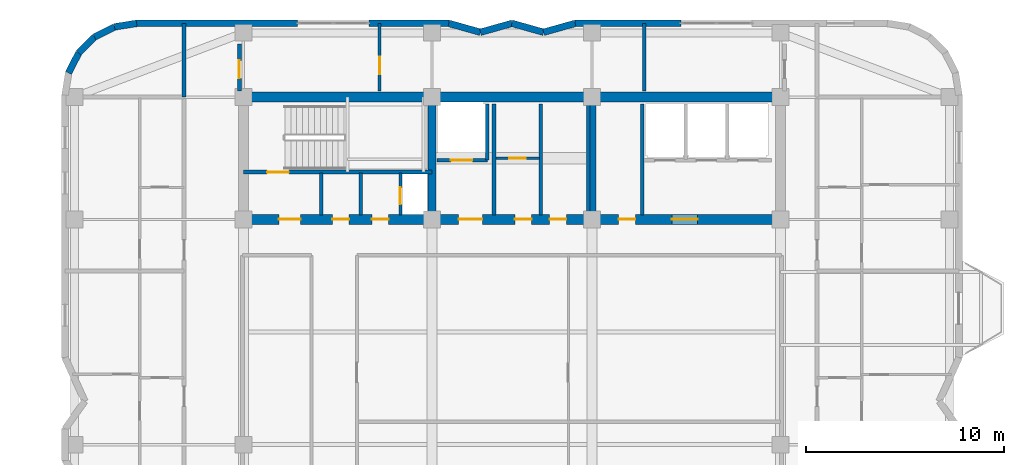
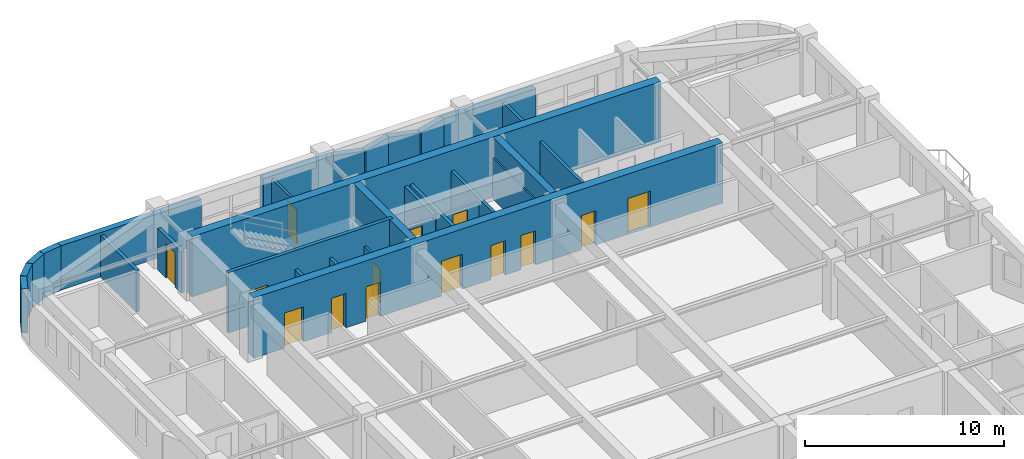
# One storey, part 11 of 14: 30 walls, 14 doors, 14 openings.
"""IFC4 building model written with IfcOpenShell, lengths in metres."""

from ifc_helpers import new_model, si_unit, direction, frame, frame_2d, origin, place, context, subcontext, project, spatial, rectangle, extrude, material, layer, layer_set, type_object, element, fill, save


model = new_model("IFC4")

# Units and contexts
model_context = context("Model", 3, precision=1e-05, world=origin(), true_north=direction((0.0, 1.0)))
body_context = subcontext(model_context, "Body", "Model", "MODEL_VIEW")
ifc_project = project(units=[si_unit("LENGTHUNIT", "METRE"), si_unit("AREAUNIT", "SQUARE_METRE"), si_unit("VOLUMEUNIT", "CUBIC_METRE"), si_unit("PLANEANGLEUNIT", "RADIAN"), si_unit("MASSUNIT", "GRAM", prefix="KILO")], contexts=[model_context])

# Site, building, storey
site_placement = place(None, origin())
site = spatial("IfcSite", under=ifc_project, at=site_placement, CompositionType="ELEMENT")
building_placement = place(site_placement, origin())
building = spatial("IfcBuilding", under=site, at=building_placement, Name="Svetorya Sky Lyceum", CompositionType="ELEMENT")
storey_placement = place(building_placement, frame((0.0, 0.0, 218.39990234375)))
storey = spatial("IfcBuildingStorey", under=building, at=storey_placement, Name="L54", CompositionType="ELEMENT", Elevation=218.39990234375)

# Walls
ifc_material_1 = material(Name="Concrete C40/50", Category="concrete")
ifc_layer_1 = layer(ifc_material_1, 0.39990234375)
ifc_layer_set_1 = layer_set([ifc_layer_1], Name="Concrete C40/50")
wall_type_1 = type_object("IfcWallType", Name="WL-CORE-400", PredefinedType="SHEAR", material=ifc_layer_set_1)
for number, where, z_axis, x_axis, name in (
    (1, (35.14990234375, 39.85009765625, 0.0), (0.0, 0.0, 1.0), (0.0, 1.0, 0.0), "L54 NC Internal Shear Web WEB1"),
    (2, (43.25, 39.85009765625, 0.0), (0.0, 0.0, 1.0), (0.0, 1.0, 0.0), "L54 NC Internal Shear Web WEB2"),
):
    element("IfcWall", number, at=place(storey_placement, frame(where, z_axis=z_axis, x_axis=x_axis)), inside=storey, type_object=wall_type_1, Name=name, PredefinedType="SHEAR", context=body_context, shape_type="SweptSolid", body=[
        extrude(rectangle(XDim=5.699951171875, YDim=0.39990234375, at=frame_2d((2.85009765625, 0.0))), origin(), (0.0, 0.0, 1.0), 3.7001953125),
    ])
ifc_material_2 = material(Name="Concrete C50/60", Category="concrete")
ifc_layer_2 = layer(ifc_material_2, 0.5)
ifc_layer_set_2 = layer_set([ifc_layer_2], Name="Concrete C50/60")
wall_type_2 = type_object("IfcWallType", Name="WL-CORE-500", PredefinedType="SHEAR", material=ifc_layer_set_2)
wall_1_placement = place(storey_placement, frame((25.60009765625, 45.800048828125, 0.0), z_axis=(0.0, 0.0, 1.0), x_axis=(1.0, 0.0, 0.0)))
element("IfcWall", 3, at=wall_1_placement, inside=storey, type_object=wall_type_2, Name="L54 NC Outer Core Shear Wall", PredefinedType="SHEAR", context=body_context, shape_type="SweptSolid", body=[
    extrude(rectangle(XDim=27.199951171875, YDim=0.5, at=frame_2d((13.60009765625, 0.0))), origin(), (0.0, 0.0, 1.0), 3.7001953125),
])

# Wall, openings, doors
wall_2_placement = place(storey_placement, frame((52.800048828125, 39.60009765625, 0.0), z_axis=(0.0, 0.0, 1.0), x_axis=(-1.0, 0.0, 0.0)))
wall_2 = element("IfcWall", 4, at=wall_2_placement, inside=storey, type_object=wall_type_2, Name="L54 NC Inner Core Shear Wall", PredefinedType="SHEAR", context=body_context, shape_type="SweptSolid", body=[
    extrude(rectangle(XDim=27.199951171875, YDim=0.5, at=frame_2d((13.60009765625, 0.0))), origin(), (0.0, 0.0, 1.0), 3.7001953125),
])
opening_1_placement = place(wall_2_placement, frame((24.300048828125, 0.0, 0.0)))
opening_1 = element("IfcOpeningElement", 5, at=opening_1_placement, cuts=wall_2, Name="Opening D-ST1", PredefinedType="OPENING", context=body_context, shape_type="SweptSolid", body=[
    extrude(rectangle(XDim=1.10009765625, YDim=2.14990234375, at=frame_2d((0.550048828125, 1.074951171875))), frame((0.0, 0.260009765625, 0.0), z_axis=(0.0, -1.0, 0.0), x_axis=(1.0, 0.0, 0.0)), (0.0, 0.0, 1.0), 0.52001953125),
])
opening_2_placement = place(wall_2_placement, frame((21.85009765625, 0.0, 0.0)))
opening_2 = element("IfcOpeningElement", 6, at=opening_2_placement, cuts=wall_2, Name="Opening D-CWC1", PredefinedType="OPENING", context=body_context, shape_type="SweptSolid", body=[
    extrude(rectangle(XDim=0.85009765625, YDim=2.10009765625, at=frame_2d((0.425048828125, 1.050048828125))), frame((0.0, 0.260009765625, 0.0), z_axis=(0.0, -1.0, 0.0), x_axis=(1.0, 0.0, 0.0)), (0.0, 0.0, 1.0), 0.52001953125),
])
opening_3_placement = place(wall_2_placement, frame((19.85009765625, 0.0, 0.0)))
opening_3 = element("IfcOpeningElement", 7, at=opening_3_placement, cuts=wall_2, Name="Opening D-CWC1", PredefinedType="OPENING", context=body_context, shape_type="SweptSolid", body=[
    extrude(rectangle(XDim=0.85009765625, YDim=2.10009765625, at=frame_2d((0.425048828125, 1.050048828125))), frame((0.0, 0.260009765625, 0.0), z_axis=(0.0, -1.0, 0.0), x_axis=(1.0, 0.0, 0.0)), (0.0, 0.0, 1.0), 0.52001953125),
])
opening_4_placement = place(wall_2_placement, frame((15.10009765625, 0.0, 0.0)))
opening_4 = element("IfcOpeningElement", 8, at=opening_4_placement, cuts=wall_2, Name="Opening D-FL1", PredefinedType="OPENING", context=body_context, shape_type="SweptSolid", body=[
    extrude(rectangle(XDim=1.199951171875, YDim=2.14990234375, at=frame_2d((0.60009765625, 1.074951171875))), frame((0.0, 0.260009765625, 0.0), z_axis=(0.0, -1.0, 0.0), x_axis=(1.0, 0.0, 0.0)), (0.0, 0.0, 1.0), 0.52001953125),
])
opening_5_placement = place(wall_2_placement, frame((12.60009765625, 0.0, 0.0)))
opening_5 = element("IfcOpeningElement", 9, at=opening_5_placement, cuts=wall_2, Name="Opening D-CWC1", PredefinedType="OPENING", context=body_context, shape_type="SweptSolid", body=[
    extrude(rectangle(XDim=0.85009765625, YDim=2.10009765625, at=frame_2d((0.425048828125, 1.050048828125))), frame((0.0, 0.260009765625, 0.0), z_axis=(0.0, -1.0, 0.0), x_axis=(1.0, 0.0, 0.0)), (0.0, 0.0, 1.0), 0.52001953125),
])
opening_6_placement = place(wall_2_placement, frame((10.85009765625, 0.0, 0.0)))
opening_6 = element("IfcOpeningElement", 10, at=opening_6_placement, cuts=wall_2, Name="Opening D-CWC1", PredefinedType="OPENING", context=body_context, shape_type="SweptSolid", body=[
    extrude(rectangle(XDim=0.85009765625, YDim=2.10009765625, at=frame_2d((0.425048828125, 1.050048828125))), frame((0.0, 0.260009765625, 0.0), z_axis=(0.0, -1.0, 0.0), x_axis=(1.0, 0.0, 0.0)), (0.0, 0.0, 1.0), 0.52001953125),
])
opening_7_placement = place(wall_2_placement, frame((7.35009765625, 0.0, 0.0)))
opening_7 = element("IfcOpeningElement", 11, at=opening_7_placement, cuts=wall_2, Name="Opening D-CWC1", PredefinedType="OPENING", context=body_context, shape_type="SweptSolid", body=[
    extrude(rectangle(XDim=0.85009765625, YDim=2.10009765625, at=frame_2d((0.425048828125, 1.050048828125))), frame((0.0, 0.260009765625, 0.0), z_axis=(0.0, -1.0, 0.0), x_axis=(1.0, 0.0, 0.0)), (0.0, 0.0, 1.0), 0.52001953125),
])
opening_8_placement = place(wall_2_placement, frame((4.199951171875, 0.0, 0.0)))
opening_8 = element("IfcOpeningElement", 12, at=opening_8_placement, cuts=wall_2, Name="Opening D-LB1", PredefinedType="OPENING", context=body_context, shape_type="SweptSolid", body=[
    extrude(rectangle(XDim=1.300048828125, YDim=2.199951171875, at=frame_2d((0.64990234375, 1.10009765625))), frame((0.0, 0.260009765625, 0.0), z_axis=(0.0, -1.0, 0.0), x_axis=(1.0, 0.0, 0.0)), (0.0, 0.0, 1.0), 0.52001953125),
])
ifc_material_3 = material(Name="Fire-rated galvanized steel core service closet door", Category="steel")
door_type_1 = type_object("IfcDoorType", Name="DR-CWET-850", OperationType="SINGLE_SWING_LEFT", PredefinedType="DOOR", material=ifc_material_3)
door_1_placement = place(opening_2_placement, origin())
door_1 = element("IfcDoor", 13, at=door_1_placement, inside=storey, type_object=door_type_1, Name="L54 North Cleaner Door", OperationType="SINGLE_SWING_RIGHT", OverallHeight=2.10009765625, OverallWidth=0.85009765625, PredefinedType="DOOR", context=body_context, shape_type="SweptSolid", body=[
    extrude(rectangle(XDim=0.85009765625, YDim=2.10009765625, at=frame_2d((0.425048828125, 1.050048828125))), frame((0.0, 0.02490234375, 0.0), z_axis=(0.0, -1.0, 0.0), x_axis=(1.0, 0.0, 0.0)), (0.0, 0.0, 1.0), 0.050048828125),
])
fill(opening_2, door_1)
door_2_placement = place(opening_3_placement, origin())
door_2 = element("IfcDoor", 14, at=door_2_placement, inside=storey, type_object=door_type_1, Name="L54 North Meter Door", OperationType="SINGLE_SWING_LEFT", OverallHeight=2.10009765625, OverallWidth=0.85009765625, PredefinedType="DOOR", context=body_context, shape_type="SweptSolid", body=[
    extrude(rectangle(XDim=0.85009765625, YDim=2.10009765625, at=frame_2d((0.425048828125, 1.050048828125))), frame((0.0, 0.02490234375, 0.0), z_axis=(0.0, -1.0, 0.0), x_axis=(1.0, 0.0, 0.0)), (0.0, 0.0, 1.0), 0.050048828125),
])
fill(opening_3, door_2)
door_3_placement = place(opening_5_placement, origin())
door_3 = element("IfcDoor", 15, at=door_3_placement, inside=storey, type_object=door_type_1, Name="L54 Cleaner Vestibule Door", OperationType="SINGLE_SWING_LEFT", OverallHeight=2.10009765625, OverallWidth=0.85009765625, PredefinedType="DOOR", context=body_context, shape_type="SweptSolid", body=[
    extrude(rectangle(XDim=0.85009765625, YDim=2.10009765625, at=frame_2d((0.425048828125, 1.050048828125))), frame((0.0, 0.02490234375, 0.0), z_axis=(0.0, -1.0, 0.0), x_axis=(1.0, 0.0, 0.0)), (0.0, 0.0, 1.0), 0.050048828125),
])
fill(opening_5, door_3)
door_4_placement = place(opening_6_placement, origin())
door_4 = element("IfcDoor", 16, at=door_4_placement, inside=storey, type_object=door_type_1, Name="L54 Upper Pram Store Door", OperationType="SINGLE_SWING_RIGHT", OverallHeight=2.10009765625, OverallWidth=0.85009765625, PredefinedType="DOOR", context=body_context, shape_type="SweptSolid", body=[
    extrude(rectangle(XDim=0.85009765625, YDim=2.10009765625, at=frame_2d((0.425048828125, 1.050048828125))), frame((0.0, 0.02490234375, 0.0), z_axis=(0.0, -1.0, 0.0), x_axis=(1.0, 0.0, 0.0)), (0.0, 0.0, 1.0), 0.050048828125),
])
fill(opening_6, door_4)
door_5_placement = place(opening_7_placement, origin())
door_5 = element("IfcDoor", 17, at=door_5_placement, inside=storey, type_object=door_type_1, Name="L54 High-Zone Utility Room Door", OperationType="SINGLE_SWING_LEFT", OverallHeight=2.10009765625, OverallWidth=0.85009765625, PredefinedType="DOOR", context=body_context, shape_type="SweptSolid", body=[
    extrude(rectangle(XDim=0.85009765625, YDim=2.10009765625, at=frame_2d((0.425048828125, 1.050048828125))), frame((0.0, 0.02490234375, 0.0), z_axis=(0.0, -1.0, 0.0), x_axis=(1.0, 0.0, 0.0)), (0.0, 0.0, 1.0), 0.050048828125),
])
fill(opening_7, door_5)
ifc_material_4 = material(Name="Powder-coated insulated galvanized stair fire door")
door_type_2 = type_object("IfcDoorType", Name="DR-FIRE-1100", OperationType="SINGLE_SWING_LEFT", PredefinedType="DOOR", material=ifc_material_4)
door_6_placement = place(opening_1_placement, origin())
door_6 = element("IfcDoor", 18, at=door_6_placement, inside=storey, type_object=door_type_2, Name="L54 North Stair Airlock Door", OperationType="SINGLE_SWING_LEFT", OverallHeight=2.14990234375, OverallWidth=1.10009765625, PredefinedType="DOOR", context=body_context, shape_type="SweptSolid", body=[
    extrude(rectangle(XDim=1.10009765625, YDim=2.14990234375, at=frame_2d((0.550048828125, 1.074951171875))), frame((0.0, 0.02490234375, 0.0), z_axis=(0.0, -1.0, 0.0), x_axis=(1.0, 0.0, 0.0)), (0.0, 0.0, 1.0), 0.050048828125),
])
fill(opening_1, door_6)
ifc_material_5 = material(Name="Powder-coated insulated galvanized fire door")
door_type_3 = type_object("IfcDoorType", Name="DR-FIRE-1200", OperationType="SINGLE_SWING_LEFT", PredefinedType="DOOR", material=ifc_material_5)
door_7_placement = place(opening_4_placement, origin())
door_7 = element("IfcDoor", 19, at=door_7_placement, inside=storey, type_object=door_type_3, Name="L54 North Firefighting Lift Lobby Door", OperationType="SINGLE_SWING_RIGHT", OverallHeight=2.14990234375, OverallWidth=1.199951171875, PredefinedType="DOOR", context=body_context, shape_type="SweptSolid", body=[
    extrude(rectangle(XDim=1.199951171875, YDim=2.14990234375, at=frame_2d((0.60009765625, 1.074951171875))), frame((0.0, 0.02490234375, 0.0), z_axis=(0.0, -1.0, 0.0), x_axis=(1.0, 0.0, 0.0)), (0.0, 0.0, 1.0), 0.050048828125),
])
fill(opening_4, door_7)
ifc_material_6 = material(Name="Glazed fire-rated aluminium lobby door", Category="aluminium")
door_type_4 = type_object("IfcDoorType", Name="DR-LOB-1300", OperationType="SINGLE_SWING_LEFT", PredefinedType="DOOR", material=ifc_material_6)
door_8_placement = place(opening_8_placement, origin())
door_8 = element("IfcDoor", 20, at=door_8_placement, inside=storey, type_object=door_type_4, Name="L54 North Passenger Lift Lobby Door", OperationType="SINGLE_SWING_LEFT", OverallHeight=2.199951171875, OverallWidth=1.300048828125, PredefinedType="DOOR", context=body_context, shape_type="SweptSolid", body=[
    extrude(rectangle(XDim=1.300048828125, YDim=2.199951171875, at=frame_2d((0.64990234375, 1.10009765625))), frame((0.0, 0.02490234375, 0.0), z_axis=(0.0, -1.0, 0.0), x_axis=(1.0, 0.0, 0.0)), (0.0, 0.0, 1.0), 0.050048828125),
])
fill(opening_8, door_8)

# Walls
ifc_material_7 = material(Name="Putilovo limestone rainscreen on autoclaved cellular masonry", Category="masonry")
ifc_layer_3 = layer(ifc_material_7, 0.340087890625)
ifc_layer_set_3 = layer_set([ifc_layer_3], Name="Putilovo limestone rainscreen on autoclaved cellular masonry")
wall_type_3 = type_object("IfcWallType", Name="WL-EXT-340", PredefinedType="SOLIDWALL", material=ifc_layer_set_3)
wall_3_placement = place(storey_placement, frame((47.75, 49.530029296875, 0.0), z_axis=(0.0, 0.0, 1.0), x_axis=(-1.0, 0.0, 0.0)))
element("IfcWall", 21, at=wall_3_placement, inside=storey, type_object=wall_type_3, Name="L54 Limestone Exterior Wall 29B", PredefinedType="SOLIDWALL", context=body_context, shape_type="SweptSolid", body=[
    extrude(rectangle(XDim=5.35009765625, YDim=0.340087890625, at=frame_2d((2.675048828125, 0.0))), origin(), (0.0, 0.0, 1.0), 2.72021484375),
])
wall_4_placement = place(storey_placement, frame((42.39990234375, 49.530029296875, 0.0), z_axis=(0.0, 0.0, 1.0), x_axis=(-0.962652136636, -0.270741322725, 0.0)))
element("IfcWall", 22, at=wall_4_placement, inside=storey, type_object=wall_type_3, Name="L54 Limestone Exterior Wall 30M", PredefinedType="SOLIDWALL", context=body_context, shape_type="SweptSolid", body=[
    extrude(rectangle(XDim=1.661865234375, YDim=0.340087890625, at=frame_2d((0.8310546875, 0.0))), origin(), (0.0, 0.0, 1.0), 2.72021484375),
])
wall_5_placement = place(storey_placement, frame((40.800048828125, 49.080078125, 0.0), z_axis=(0.0, 0.0, 1.0), x_axis=(-0.962662902433, 0.270703040766, 0.0)))
element("IfcWall", 23, at=wall_5_placement, inside=storey, type_object=wall_type_3, Name="L54 Limestone Exterior Wall 31M", PredefinedType="SOLIDWALL", context=body_context, shape_type="SweptSolid", body=[
    extrude(rectangle(XDim=1.662109375, YDim=0.340087890625, at=frame_2d((0.8310546875, 0.0))), origin(), (0.0, 0.0, 1.0), 2.72021484375),
])
wall_6_placement = place(storey_placement, frame((39.199951171875, 49.530029296875, 0.0), z_axis=(0.0, 0.0, 1.0), x_axis=(-0.962652136636, -0.270741322725, 0.0)))
element("IfcWall", 24, at=wall_6_placement, inside=storey, type_object=wall_type_3, Name="L54 Limestone Exterior Wall 32M", PredefinedType="SOLIDWALL", context=body_context, shape_type="SweptSolid", body=[
    extrude(rectangle(XDim=1.661865234375, YDim=0.340087890625, at=frame_2d((0.8310546875, 0.0))), origin(), (0.0, 0.0, 1.0), 2.72021484375),
])
wall_7_placement = place(storey_placement, frame((37.60009765625, 49.080078125, 0.0), z_axis=(0.0, 0.0, 1.0), x_axis=(-0.962662902433, 0.270703040766, 0.0)))
element("IfcWall", 25, at=wall_7_placement, inside=storey, type_object=wall_type_3, Name="L54 Limestone Exterior Wall 33M", PredefinedType="SOLIDWALL", context=body_context, shape_type="SweptSolid", body=[
    extrude(rectangle(XDim=1.662109375, YDim=0.340087890625, at=frame_2d((0.8310546875, 0.0))), origin(), (0.0, 0.0, 1.0), 2.72021484375),
])
wall_8_placement = place(storey_placement, frame((36.0, 49.530029296875, 0.0), z_axis=(0.0, 0.0, 1.0), x_axis=(-1.0, 0.0, 0.0)))
element("IfcWall", 26, at=wall_8_placement, inside=storey, type_object=wall_type_3, Name="L54 Limestone Exterior Wall 34A", PredefinedType="SOLIDWALL", context=body_context, shape_type="SweptSolid", body=[
    extrude(rectangle(XDim=4.050048828125, YDim=0.340087890625, at=frame_2d((2.02490234375, 0.0))), origin(), (0.0, 0.0, 1.0), 2.72021484375),
])
wall_9_placement = place(storey_placement, frame((28.35009765625, 49.530029296875, 0.0), z_axis=(0.0, 0.0, 1.0), x_axis=(-1.0, 0.0, 0.0)))
element("IfcWall", 27, at=wall_9_placement, inside=storey, type_object=wall_type_3, Name="L54 Limestone Exterior Wall 34B", PredefinedType="SOLIDWALL", context=body_context, shape_type="SweptSolid", body=[
    extrude(rectangle(XDim=8.150146484375, YDim=0.340087890625, at=frame_2d((4.0751953125, 0.0))), origin(), (0.0, 0.0, 1.0), 2.72021484375),
])
wall_10_placement = place(storey_placement, frame((20.199951171875, 49.530029296875, 0.0), z_axis=(0.0, 0.0, 1.0), x_axis=(-0.987675651954, -0.156514556949, 0.0)))
element("IfcWall", 28, at=wall_10_placement, inside=storey, type_object=wall_type_3, Name="L54 Limestone Exterior Wall 35M", PredefinedType="SOLIDWALL", context=body_context, shape_type="SweptSolid", body=[
    extrude(rectangle(XDim=1.135498046875, YDim=0.340087890625, at=frame_2d((0.56787109375, 0.0))), origin(), (0.0, 0.0, 1.0), 2.72021484375),
])
for number, where, z_axis, x_axis, name in (
    (29, (19.078369140625, 49.352294921875, 0.0), (0.0, 0.0, 1.0), (-0.891005044957, -0.453993402883, 0.0), "L54 Limestone Exterior Wall 36M"),
    (30, (18.06640625, 48.836669921875, 0.0), (0.0, 0.0, 1.0), (-0.707214252388, -0.706999293649, 0.0), "L54 Limestone Exterior Wall 37M"),
    (31, (17.26318359375, 48.03369140625, 0.0), (0.0, 0.0, 1.0), (-0.453822724105, -0.891091990249, 0.0), "L54 Limestone Exterior Wall 38M"),
):
    element("IfcWall", number, at=place(storey_placement, frame(where, z_axis=z_axis, x_axis=x_axis)), inside=storey, type_object=wall_type_3, Name=name, PredefinedType="SOLIDWALL", context=body_context, shape_type="SweptSolid", body=[
        extrude(rectangle(XDim=1.1357421875, YDim=0.340087890625, at=frame_2d((0.56787109375, 0.0))), origin(), (0.0, 0.0, 1.0), 2.72021484375),
    ])

# Wall, opening, door
ifc_material_8 = material(Name="Twin-stud galvanized framing with double fireboard", Category="gypsum")
ifc_layer_4 = layer(ifc_material_8, 0.1201171875)
ifc_layer_set_4 = layer_set([ifc_layer_4], Name="Twin-stud galvanized framing with double fireboard")
wall_type_4 = type_object("IfcWallType", Name="WL-PART-120", PredefinedType="PARTITIONING", material=ifc_layer_set_4)
wall_11_placement = place(storey_placement, frame((38.39990234375, 42.699951171875, 0.0), z_axis=(0.0, 0.0, 1.0), x_axis=(1.0, 0.0, 0.0)))
wall_11 = element("IfcWall", 32, at=wall_11_placement, inside=storey, type_object=wall_type_4, Name="L54 Interior Partition NC-FPM-H", PredefinedType="PARTITIONING", context=body_context, shape_type="SweptSolid", body=[
    extrude(rectangle(XDim=2.2001953125, YDim=0.1201171875, at=frame_2d((1.10009765625, 0.0))), origin(), (0.0, 0.0, 1.0), 2.320068359375),
])
opening_9_placement = place(wall_11_placement, frame((0.64990234375, 0.0, 0.0)))
opening_9 = element("IfcOpeningElement", 33, at=opening_9_placement, cuts=wall_11, Name="Opening D-CWC1", PredefinedType="OPENING", context=body_context, shape_type="SweptSolid", body=[
    extrude(rectangle(XDim=0.85009765625, YDim=2.10009765625, at=frame_2d((0.425048828125, 1.050048828125))), frame((0.0, 0.070068359375, 0.0), z_axis=(0.0, -1.0, 0.0), x_axis=(1.0, 0.0, 0.0)), (0.0, 0.0, 1.0), 0.14013671875),
])
door_9_placement = place(opening_9_placement, origin())
door_9 = element("IfcDoor", 34, at=door_9_placement, inside=storey, type_object=door_type_1, Name="L54 Rear IT Closet Door", OperationType="SINGLE_SWING_LEFT", OverallHeight=2.10009765625, OverallWidth=0.85009765625, PredefinedType="DOOR", context=body_context, shape_type="SweptSolid", body=[
    extrude(rectangle(XDim=0.85009765625, YDim=2.10009765625, at=frame_2d((0.425048828125, 1.050048828125))), frame((0.0, 0.02490234375, 0.0), z_axis=(0.0, -1.0, 0.0), x_axis=(1.0, 0.0, 0.0)), (0.0, 0.0, 1.0), 0.050048828125),
])
fill(opening_9, door_9)

ifc_material_9 = material(Name="Autoclaved cellular masonry blockwork with acoustic render", Category="masonry")
ifc_layer_5 = layer(ifc_material_9, 0.14990234375)
ifc_layer_set_5 = layer_set([ifc_layer_5], Name="Autoclaved cellular masonry blockwork with acoustic render")
wall_type_5 = type_object("IfcWallType", Name="WL-PART-150", PredefinedType="PARTITIONING", material=ifc_layer_set_5)
wall_12_placement = place(storey_placement, frame((33.550048828125, 39.820068359375, 0.0), z_axis=(0.0, 0.0, 1.0), x_axis=(0.0, 1.0, 0.0)))
wall_12 = element("IfcWall", 35, at=wall_12_placement, inside=storey, type_object=wall_type_5, Name="L54 Interior Partition NC-RSRW", PredefinedType="PARTITIONING", context=body_context, shape_type="SweptSolid", body=[
    extrude(rectangle(XDim=2.1298828125, YDim=0.14990234375, at=frame_2d((1.06494140625, 0.0))), origin(), (0.0, 0.0, 1.0), 2.550048828125),
])
opening_10_placement = place(wall_12_placement, frame((0.550048828125, 0.0, 0.0)))
opening_10 = element("IfcOpeningElement", 36, at=opening_10_placement, cuts=wall_12, Name="Opening D-SH1", PredefinedType="OPENING", context=body_context, shape_type="SweptSolid", body=[
    extrude(rectangle(XDim=0.85009765625, YDim=2.050048828125, at=frame_2d((0.425048828125, 1.02490234375))), frame((0.0, 0.0849609375, 0.0), z_axis=(0.0, -1.0, 0.0), x_axis=(1.0, 0.0, 0.0)), (0.0, 0.0, 1.0), 0.169921875),
])
ifc_material_10 = material(Name="Insulated galvanized riser inspection fire door")
door_type_5 = type_object("IfcDoorType", Name="DR-SHFT-850", OperationType="SINGLE_SWING_LEFT", PredefinedType="TRAPDOOR", material=ifc_material_10)
door_10_placement = place(opening_10_placement, origin())
door_10 = element("IfcDoor", 37, at=door_10_placement, inside=storey, type_object=door_type_5, Name="L54 North Riser Access Door", OperationType="SINGLE_SWING_LEFT", OverallHeight=2.050048828125, OverallWidth=0.85009765625, PredefinedType="TRAPDOOR", context=body_context, shape_type="SweptSolid", body=[
    extrude(rectangle(XDim=0.85009765625, YDim=2.050048828125, at=frame_2d((0.425048828125, 1.02490234375))), frame((0.0, 0.02490234375, 0.0), z_axis=(0.0, -1.0, 0.0), x_axis=(1.0, 0.0, 0.0)), (0.0, 0.0, 1.0), 0.050048828125),
])
fill(opening_10, door_10)

wall_13_placement = place(storey_placement, frame((32.5, 46.10009765625, 0.0), z_axis=(0.0, 0.0, 1.0), x_axis=(0.0, 1.0, 0.0)))
wall_13 = element("IfcWall", 38, at=wall_13_placement, inside=storey, type_object=wall_type_5, Name="L54 Interior Partition N-D1", PredefinedType="PARTITIONING", context=body_context, shape_type="SweptSolid", body=[
    extrude(rectangle(XDim=3.429931640625, YDim=0.14990234375, at=frame_2d((1.71484375, 0.0))), origin(), (0.0, 0.0, 1.0), 2.550048828125),
])
opening_11_placement = place(wall_13_placement, frame((0.85009765625, 0.0, 0.0)))
opening_11 = element("IfcOpeningElement", 39, at=opening_11_placement, cuts=wall_13, Name="Opening D-RM1", PredefinedType="OPENING", context=body_context, shape_type="SweptSolid", body=[
    extrude(rectangle(XDim=0.89990234375, YDim=2.10009765625, at=frame_2d((0.449951171875, 1.050048828125))), frame((0.0, 0.0849609375, 0.0), z_axis=(0.0, -1.0, 0.0), x_axis=(1.0, 0.0, 0.0)), (0.0, 0.0, 1.0), 0.169921875),
])
ifc_material_11 = material(Name="Lacquered birch veneer internal door")
door_type_6 = type_object("IfcDoorType", Name="DR-INT-900", OperationType="SINGLE_SWING_LEFT", PredefinedType="DOOR", material=ifc_material_11)
door_11_placement = place(opening_11_placement, origin())
door_11 = element("IfcDoor", 40, at=door_11_placement, inside=storey, type_object=door_type_6, Name="L54 North Store Door", OperationType="SINGLE_SWING_RIGHT", OverallHeight=2.10009765625, OverallWidth=0.89990234375, PredefinedType="DOOR", context=body_context, shape_type="SweptSolid", body=[
    extrude(rectangle(XDim=0.89990234375, YDim=2.10009765625, at=frame_2d((0.449951171875, 1.050048828125))), frame((0.0, 0.02490234375, 0.0), z_axis=(0.0, -1.0, 0.0), x_axis=(1.0, 0.0, 0.0)), (0.0, 0.0, 1.0), 0.050048828125),
])
fill(opening_11, door_11)

# Walls
ifc_material_12 = material(Name="Autoclaved cellular masonry blockwork with fire render", Category="masonry")
ifc_layer_6 = layer(ifc_material_12, 0.175048828125)
ifc_layer_set_6 = layer_set([ifc_layer_6], Name="Autoclaved cellular masonry blockwork with fire render")
wall_type_6 = type_object("IfcWallType", Name="WL-PART-175", PredefinedType="PARTITIONING", material=ifc_layer_set_6)
for number, where, z_axis, x_axis, name in (
    (41, (29.550048828125, 39.820068359375, 0.0), (0.0, 0.0, 1.0), (0.0, 1.0, 0.0), "L54 Interior Partition NC-NWD1"),
    (42, (31.550048828125, 39.820068359375, 0.0), (0.0, 0.0, 1.0), (0.0, 1.0, 0.0), "L54 Interior Partition NC-NWD2"),
):
    element("IfcWall", number, at=place(storey_placement, frame(where, z_axis=z_axis, x_axis=x_axis)), inside=storey, type_object=wall_type_6, Name=name, PredefinedType="PARTITIONING", context=body_context, shape_type="SweptSolid", body=[
        extrude(rectangle(XDim=2.1298828125, YDim=0.175048828125, at=frame_2d((1.06494140625, 0.0))), origin(), (0.0, 0.0, 1.0), 2.550048828125),
    ])
wall_14_placement = place(storey_placement, frame((37.949951171875, 42.60009765625, 0.0), z_axis=(0.0, 0.0, 1.0), x_axis=(0.0, 1.0, 0.0)))
element("IfcWall", 43, at=wall_14_placement, inside=storey, type_object=wall_type_6, Name="L54 Interior Partition NC-FL1SIDE", PredefinedType="PARTITIONING", context=body_context, shape_type="SweptSolid", body=[
    extrude(rectangle(XDim=2.849853515625, YDim=0.175048828125, at=frame_2d((1.4248046875, 0.0))), origin(), (0.0, 0.0, 1.0), 2.550048828125),
])
for number, where, z_axis, x_axis, name in (
    (44, (43.050048828125, 39.820068359375, 0.0), (0.0, 0.0, 1.0), (0.0, 1.0, 0.0), "L54 Interior Partition NC-FPM-END"),
    (45, (40.64990234375, 39.820068359375, 0.0), (0.0, 0.0, 1.0), (0.0, 1.0, 0.0), "L54 Interior Partition NC-FPM-V"),
    (46, (45.800048828125, 39.820068359375, 0.0), (0.0, 0.0, 1.0), (0.0, 1.0, 0.0), "L54 Interior Partition NC-PM3-FULL"),
):
    element("IfcWall", number, at=place(storey_placement, frame(where, z_axis=z_axis, x_axis=x_axis)), inside=storey, type_object=wall_type_6, Name=name, PredefinedType="PARTITIONING", context=body_context, shape_type="SweptSolid", body=[
        extrude(rectangle(XDim=5.6298828125, YDim=0.175048828125, at=frame_2d((2.81494140625, 0.0))), origin(), (0.0, 0.0, 1.0), 2.550048828125),
    ])
wall_15_placement = place(storey_placement, frame((45.89990234375, 46.10009765625, 0.0), z_axis=(0.0, 0.0, 1.0), x_axis=(0.0, 1.0, 0.0)))
element("IfcWall", 47, at=wall_15_placement, inside=storey, type_object=wall_type_6, Name="L54 Interior Partition N-D2", PredefinedType="PARTITIONING", context=body_context, shape_type="SweptSolid", body=[
    extrude(rectangle(XDim=3.429931640625, YDim=0.175048828125, at=frame_2d((1.71484375, 0.0))), origin(), (0.0, 0.0, 1.0), 2.550048828125),
])

# Wall, opening, door
ifc_material_13 = material(Name="Autoclaved cellular masonry blockwork with gypsum plaster", Category="masonry")
ifc_layer_7 = layer(ifc_material_13, 0.199951171875)
ifc_layer_set_7 = layer_set([ifc_layer_7], Name="Autoclaved cellular masonry blockwork with gypsum plaster")
wall_type_7 = type_object("IfcWallType", Name="WL-PART-200", PredefinedType="PARTITIONING", material=ifc_layer_set_7)
wall_16_placement = place(storey_placement, frame((37.949951171875, 42.60009765625, 0.0), z_axis=(0.0, 0.0, 1.0), x_axis=(-1.0, 0.0, 0.0)))
wall_16 = element("IfcWall", 48, at=wall_16_placement, inside=storey, type_object=wall_type_7, Name="L54 Interior Partition NC-FL1W", PredefinedType="PARTITIONING", context=body_context, shape_type="SweptSolid", body=[
    extrude(rectangle(XDim=2.550048828125, YDim=0.199951171875, at=frame_2d((1.27490234375, 0.0))), origin(), (0.0, 0.0, 1.0), 2.320068359375),
])
opening_12_placement = place(wall_16_placement, frame((0.75, 0.0, 0.0)))
opening_12 = element("IfcOpeningElement", 49, at=opening_12_placement, cuts=wall_16, Name="Opening LD-FL", PredefinedType="OPENING", context=body_context, shape_type="SweptSolid", body=[
    extrude(rectangle(XDim=1.10009765625, YDim=2.14990234375, at=frame_2d((0.550048828125, 1.074951171875))), frame((0.0, 0.10986328125, 0.0), z_axis=(0.0, -1.0, 0.0), x_axis=(1.0, 0.0, 0.0)), (0.0, 0.0, 1.0), 0.219970703125),
])
ifc_material_14 = material(Name="Fire-rated stainless AISI 304 firefighting lift landing door")
door_type_7 = type_object("IfcDoorType", Name="DR-LIFT-1100", OperationType="SLIDING_TO_LEFT", PredefinedType="DOOR", material=ifc_material_14)
door_12_placement = place(opening_12_placement, origin())
door_12 = element("IfcDoor", 50, at=door_12_placement, inside=storey, type_object=door_type_7, Name="L54 Firefighting Lift FL1 Landing Door", OperationType="SLIDING_TO_LEFT", OverallHeight=2.14990234375, OverallWidth=1.10009765625, PredefinedType="DOOR", context=body_context, shape_type="SweptSolid", body=[
    extrude(rectangle(XDim=1.10009765625, YDim=2.14990234375, at=frame_2d((0.550048828125, 1.074951171875))), frame((0.0, 0.02490234375, 0.0), z_axis=(0.0, -1.0, 0.0), x_axis=(1.0, 0.0, 0.0)), (0.0, 0.0, 1.0), 0.050048828125),
])
fill(opening_12, door_12)

# Walls
wall_17_placement = place(storey_placement, frame((38.280029296875, 39.820068359375, 0.0), z_axis=(0.0, 0.0, 1.0), x_axis=(0.0, 1.0, 0.0)))
element("IfcWall", 51, at=wall_17_placement, inside=storey, type_object=wall_type_7, Name="L54 Interior Partition NC-FFLDIV", PredefinedType="PARTITIONING", context=body_context, shape_type="SweptSolid", body=[
    extrude(rectangle(XDim=5.6298828125, YDim=0.199951171875, at=frame_2d((2.81494140625, 0.0))), origin(), (0.0, 0.0, 1.0), 2.550048828125),
])
wall_18_placement = place(storey_placement, frame((22.60009765625, 45.800048828125, 0.0), z_axis=(0.0, 0.0, 1.0), x_axis=(0.0, 1.0, 0.0)))
element("IfcWall", 52, at=wall_18_placement, inside=storey, type_object=wall_type_7, Name="L54 Interior Partition WC-NW-END", PredefinedType="PARTITIONING", context=body_context, shape_type="SweptSolid", body=[
    extrude(rectangle(XDim=3.72998046875, YDim=0.199951171875, at=frame_2d((1.864990234375, 0.0))), origin(), (0.0, 0.0, 1.0), 2.550048828125),
])

# Wall, opening, door
wall_19_placement = place(storey_placement, frame((25.39990234375, 46.10009765625, 0.0), z_axis=(0.0, 0.0, 1.0), x_axis=(0.0, 1.0, 0.0)))
wall_19 = element("IfcWall", 53, at=wall_19_placement, inside=storey, type_object=wall_type_7, Name="L54 Interior Partition N-EW", PredefinedType="PARTITIONING", context=body_context, shape_type="SweptSolid", body=[
    extrude(rectangle(XDim=2.3798828125, YDim=0.199951171875, at=frame_2d((1.18994140625, 0.0))), origin(), (0.0, 0.0, 1.0), 2.550048828125),
])
opening_13_placement = place(wall_19_placement, frame((0.64990234375, 0.0, 0.0)))
opening_13 = element("IfcOpeningElement", 54, at=opening_13_placement, cuts=wall_19, Name="Opening D-RM1", PredefinedType="OPENING", context=body_context, shape_type="SweptSolid", body=[
    extrude(rectangle(XDim=0.89990234375, YDim=2.10009765625, at=frame_2d((0.449951171875, 1.050048828125))), frame((0.0, 0.10986328125, 0.0), z_axis=(0.0, -1.0, 0.0), x_axis=(1.0, 0.0, 0.0)), (0.0, 0.0, 1.0), 0.219970703125),
])
door_13_placement = place(opening_13_placement, origin())
door_13 = element("IfcDoor", 55, at=door_13_placement, inside=storey, type_object=door_type_6, Name="L54 North Study Door", OperationType="SINGLE_SWING_RIGHT", OverallHeight=2.10009765625, OverallWidth=0.89990234375, PredefinedType="DOOR", context=body_context, shape_type="SweptSolid", body=[
    extrude(rectangle(XDim=0.89990234375, YDim=2.10009765625, at=frame_2d((0.449951171875, 1.050048828125))), frame((0.0, 0.02490234375, 0.0), z_axis=(0.0, -1.0, 0.0), x_axis=(1.0, 0.0, 0.0)), (0.0, 0.0, 1.0), 0.050048828125),
])
fill(opening_13, door_13)

ifc_layer_8 = layer(ifc_material_2, 0.199951171875)
ifc_layer_set_8 = layer_set([ifc_layer_8], Name="Concrete C50/60")
wall_type_8 = type_object("IfcWallType", Name="WL-SHW-200", PredefinedType="SHEAR", material=ifc_layer_set_8)
wall_20_placement = place(storey_placement, frame((35.14990234375, 42.0, 0.0), z_axis=(0.0, 0.0, 1.0), x_axis=(-1.0, 0.0, 0.0)))
wall_20 = element("IfcWall", 56, at=wall_20_placement, inside=storey, type_object=wall_type_8, Name="L54 Structural Stair Shaft Wall NC-STW", PredefinedType="SHEAR", context=body_context, shape_type="SweptSolid", body=[
    extrude(rectangle(XDim=9.5498046875, YDim=0.199951171875, at=frame_2d((4.77490234375, 0.0))), origin(), (0.0, 0.0, 1.0), 3.7001953125),
])
opening_14_placement = place(wall_20_placement, frame((7.25, 0.0, 0.0)))
opening_14 = element("IfcOpeningElement", 57, at=opening_14_placement, cuts=wall_20, Name="Opening D-ST1", PredefinedType="OPENING", context=body_context, shape_type="SweptSolid", body=[
    extrude(rectangle(XDim=1.10009765625, YDim=2.14990234375, at=frame_2d((0.550048828125, 1.074951171875))), frame((0.0, 0.10986328125, 0.0), z_axis=(0.0, -1.0, 0.0), x_axis=(1.0, 0.0, 0.0)), (0.0, 0.0, 1.0), 0.219970703125),
])
door_14_placement = place(opening_14_placement, origin())
door_14 = element("IfcDoor", 58, at=door_14_placement, inside=storey, type_object=door_type_2, Name="L54 Stair ST-N Vestibule Fire Door", OperationType="SINGLE_SWING_RIGHT", OverallHeight=2.14990234375, OverallWidth=1.10009765625, PredefinedType="DOOR", context=body_context, shape_type="SweptSolid", body=[
    extrude(rectangle(XDim=1.10009765625, YDim=2.14990234375, at=frame_2d((0.550048828125, 1.074951171875))), frame((0.0, 0.02490234375, 0.0), z_axis=(0.0, -1.0, 0.0), x_axis=(1.0, 0.0, 0.0)), (0.0, 0.0, 1.0), 0.050048828125),
])
fill(opening_14, door_14)

save(model, "model.ifc")
